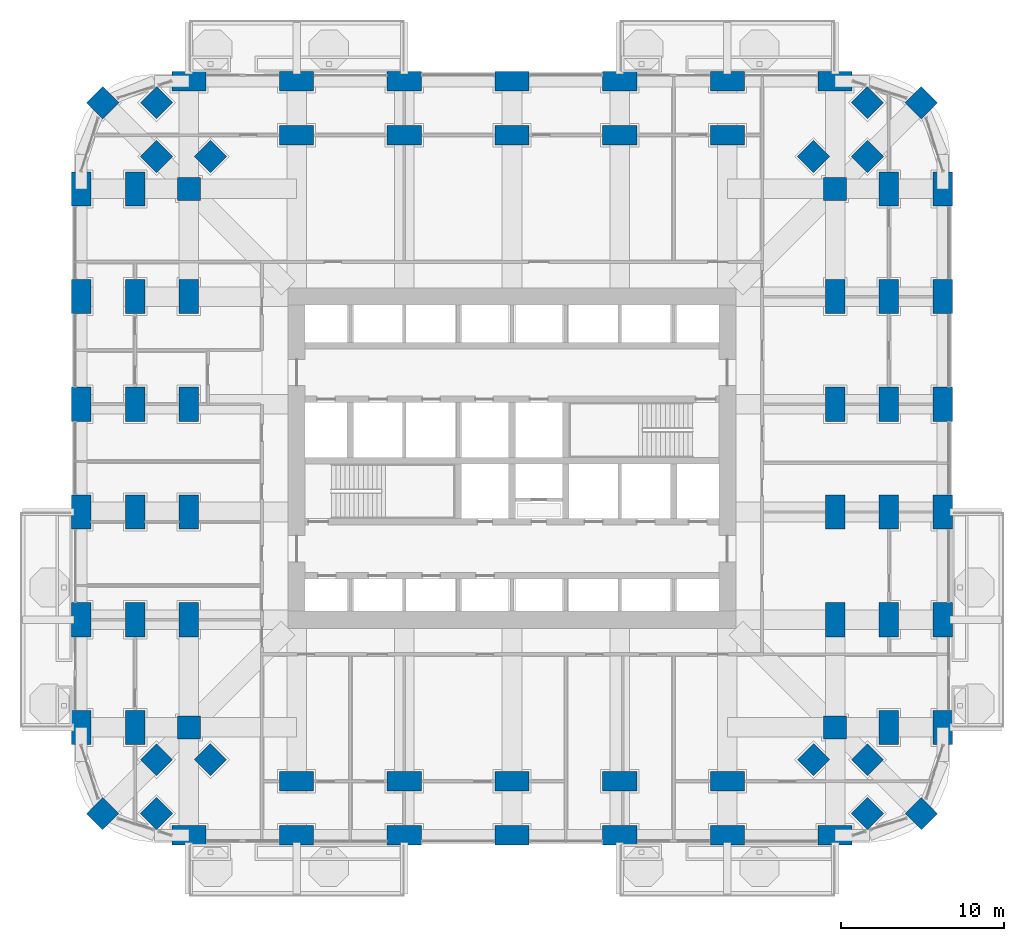
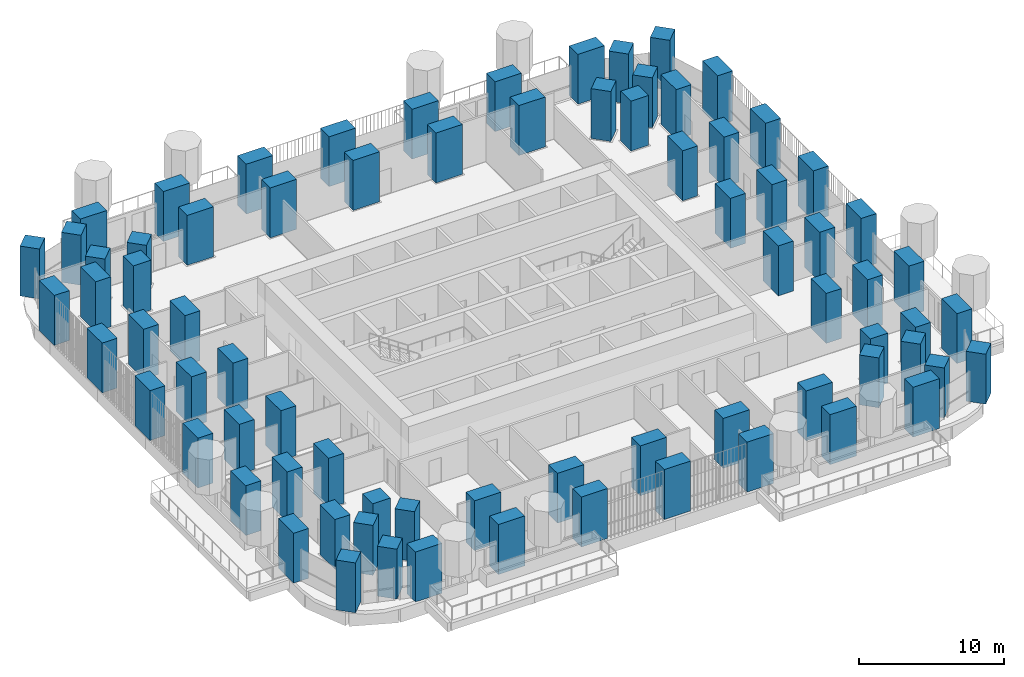
# One storey, part 1 of 27: 76 columns.
"""IFC4 building model written with IfcOpenShell, lengths in metres."""

from ifc_helpers import new_model, si_unit, direction, frame, origin, origin_2d, place, context, subcontext, project, spatial, rectangle, extrude, material, material_profile, profile_set, type_object, element, save


model = new_model("IFC4")

# Units and contexts
model_context = context("Model", 3, precision=1e-05, world=origin(), true_north=direction((0.0, 1.0)))
body_context = subcontext(model_context, "Body", "Model", "MODEL_VIEW")
ifc_project = project(units=[si_unit("LENGTHUNIT", "METRE"), si_unit("AREAUNIT", "SQUARE_METRE"), si_unit("VOLUMEUNIT", "CUBIC_METRE"), si_unit("PLANEANGLEUNIT", "RADIAN"), si_unit("MASSUNIT", "GRAM", prefix="KILO")], contexts=[model_context])

# Site, building, storey
site_placement = place(None, origin())
site = spatial("IfcSite", under=ifc_project, at=site_placement, CompositionType="ELEMENT")
building_placement = place(site_placement, origin())
building = spatial("IfcBuilding", under=site, at=building_placement, Name="Cobogo Forest Laboratory Tower", CompositionType="ELEMENT")
storey_placement = place(building_placement, frame((0.0, 0.0, 46.5)))
storey = spatial("IfcBuildingStorey", under=building, at=storey_placement, Name="L10", CompositionType="ELEMENT", Elevation=46.5)

# Columns
ifc_material = material(Name="Concrete HA-50 (C50/60)", Category="concrete")
ifc_material_profile_1 = material_profile(ifc_material, rectangle(XDim=2.10009765625, YDim=1.199951171875, at=origin_2d()), Name="RC 1200x2100")
ifc_profile_set_1 = profile_set([ifc_material_profile_1], Name="Concrete HA-50 (C50/60)")
column_type_1 = type_object("IfcColumnType", Name="Blade column 1200x2100", PredefinedType="COLUMN", material=ifc_profile_set_1)
for number, where, z_axis, x_axis, name in (
    (1, (6.60009765625, 0.0, 0.0), (0.0, 0.0, 1.0), (1.0, 0.0, 0.0), "Column 2-A L10"),
    (2, (13.199951171875, 0.0, 0.0), (0.0, 0.0, 1.0), (1.0, 0.0, 0.0), "Column 3-A L10"),
    (3, (19.800048828125, 0.0, 0.0), (0.0, 0.0, 1.0), (1.0, 0.0, 0.0), "Column 4-A L10"),
    (4, (26.39990234375, 0.0, 0.0), (0.0, 0.0, 1.0), (1.0, 0.0, 0.0), "Column 5-A L10"),
    (5, (33.0, 0.0, 0.0), (0.0, 0.0, 1.0), (1.0, 0.0, 0.0), "Column 6-A L10"),
    (6, (39.60009765625, 0.0, 0.0), (0.0, 0.0, 1.0), (1.0, 0.0, 0.0), "Column 7-A L10"),
    (7, (46.199951171875, 0.0, 0.0), (0.0, 0.0, 1.0), (1.0, 0.0, 0.0), "Column 8-A L10"),
    (8, (0.0, 6.60009765625, 0.0), (0.0, 0.0, 1.0), (0.0, 1.0, 0.0), "Column 1-B L10"),
    (9, (52.800048828125, 6.60009765625, 0.0), (0.0, 0.0, 1.0), (0.0, 1.0, 0.0), "Column 9-B L10"),
    (10, (0.0, 13.199951171875, 0.0), (0.0, 0.0, 1.0), (0.0, 1.0, 0.0), "Column 1-C L10"),
    (11, (52.800048828125, 13.199951171875, 0.0), (0.0, 0.0, 1.0), (0.0, 1.0, 0.0), "Column 9-C L10"),
    (12, (0.0, 19.800048828125, 0.0), (0.0, 0.0, 1.0), (0.0, 1.0, 0.0), "Column 1-D L10"),
    (13, (52.800048828125, 19.800048828125, 0.0), (0.0, 0.0, 1.0), (0.0, 1.0, 0.0), "Column 9-D L10"),
    (14, (0.0, 26.39990234375, 0.0), (0.0, 0.0, 1.0), (0.0, 1.0, 0.0), "Column 1-E L10"),
    (15, (52.800048828125, 26.39990234375, 0.0), (0.0, 0.0, 1.0), (0.0, 1.0, 0.0), "Column 9-E L10"),
    (16, (0.0, 33.0, 0.0), (0.0, 0.0, 1.0), (0.0, 1.0, 0.0), "Column 1-F L10"),
    (17, (52.800048828125, 33.0, 0.0), (0.0, 0.0, 1.0), (0.0, 1.0, 0.0), "Column 9-F L10"),
    (18, (0.0, 39.60009765625, 0.0), (0.0, 0.0, 1.0), (0.0, 1.0, 0.0), "Column 1-G L10"),
    (19, (52.800048828125, 39.60009765625, 0.0), (0.0, 0.0, 1.0), (0.0, 1.0, 0.0), "Column 9-G L10"),
    (20, (6.60009765625, 46.199951171875, 0.0), (0.0, 0.0, 1.0), (1.0, 0.0, 0.0), "Column 2-H L10"),
    (21, (13.199951171875, 46.199951171875, 0.0), (0.0, 0.0, 1.0), (1.0, 0.0, 0.0), "Column 3-H L10"),
    (22, (19.800048828125, 46.199951171875, 0.0), (0.0, 0.0, 1.0), (1.0, 0.0, 0.0), "Column 4-H L10"),
    (23, (26.39990234375, 46.199951171875, 0.0), (0.0, 0.0, 1.0), (1.0, 0.0, 0.0), "Column 5-H L10"),
    (24, (33.0, 46.199951171875, 0.0), (0.0, 0.0, 1.0), (1.0, 0.0, 0.0), "Column 6-H L10"),
    (25, (39.60009765625, 46.199951171875, 0.0), (0.0, 0.0, 1.0), (1.0, 0.0, 0.0), "Column 7-H L10"),
    (26, (46.199951171875, 46.199951171875, 0.0), (0.0, 0.0, 1.0), (1.0, 0.0, 0.0), "Column 8-H L10"),
    (27, (3.300048828125, 6.60009765625, 0.0), (0.0, 0.0, 1.0), (0.0, 1.0, 0.0), "Column 1.1-B-B L10"),
    (28, (49.5, 6.60009765625, 0.0), (0.0, 0.0, 1.0), (0.0, 1.0, 0.0), "Column 8.1-B-B L10"),
    (29, (3.300048828125, 13.199951171875, 0.0), (0.0, 0.0, 1.0), (0.0, 1.0, 0.0), "Column 1.1-C-B L10"),
    (30, (49.5, 13.199951171875, 0.0), (0.0, 0.0, 1.0), (0.0, 1.0, 0.0), "Column 8.1-C-B L10"),
    (31, (3.300048828125, 19.800048828125, 0.0), (0.0, 0.0, 1.0), (0.0, 1.0, 0.0), "Column 1.1-D-B L10"),
    (32, (49.5, 19.800048828125, 0.0), (0.0, 0.0, 1.0), (0.0, 1.0, 0.0), "Column 8.1-D-B L10"),
    (33, (3.300048828125, 26.39990234375, 0.0), (0.0, 0.0, 1.0), (0.0, 1.0, 0.0), "Column 1.1-E-B L10"),
    (34, (49.5, 26.39990234375, 0.0), (0.0, 0.0, 1.0), (0.0, 1.0, 0.0), "Column 8.1-E-B L10"),
    (35, (3.300048828125, 33.0, 0.0), (0.0, 0.0, 1.0), (0.0, 1.0, 0.0), "Column 1.1-F-B L10"),
    (36, (49.5, 33.0, 0.0), (0.0, 0.0, 1.0), (0.0, 1.0, 0.0), "Column 8.1-F-B L10"),
    (37, (3.300048828125, 39.60009765625, 0.0), (0.0, 0.0, 1.0), (0.0, 1.0, 0.0), "Column 1.1-G-B L10"),
    (38, (49.5, 39.60009765625, 0.0), (0.0, 0.0, 1.0), (0.0, 1.0, 0.0), "Column 8.1-G-B L10"),
    (39, (13.199951171875, 3.300048828125, 0.0), (0.0, 0.0, 1.0), (1.0, 0.0, 0.0), "Column 3-A.1-C L10"),
    (40, (19.800048828125, 3.300048828125, 0.0), (0.0, 0.0, 1.0), (1.0, 0.0, 0.0), "Column 4-A.1-C L10"),
    (41, (26.39990234375, 3.300048828125, 0.0), (0.0, 0.0, 1.0), (1.0, 0.0, 0.0), "Column 5-A.1-C L10"),
    (42, (33.0, 3.300048828125, 0.0), (0.0, 0.0, 1.0), (1.0, 0.0, 0.0), "Column 6-A.1-C L10"),
    (43, (39.60009765625, 3.300048828125, 0.0), (0.0, 0.0, 1.0), (1.0, 0.0, 0.0), "Column 7-A.1-C L10"),
    (44, (13.199951171875, 42.89990234375, 0.0), (0.0, 0.0, 1.0), (1.0, 0.0, 0.0), "Column 3-G.1-C L10"),
    (45, (19.800048828125, 42.89990234375, 0.0), (0.0, 0.0, 1.0), (1.0, 0.0, 0.0), "Column 4-G.1-C L10"),
    (46, (26.39990234375, 42.89990234375, 0.0), (0.0, 0.0, 1.0), (1.0, 0.0, 0.0), "Column 5-G.1-C L10"),
    (47, (33.0, 42.89990234375, 0.0), (0.0, 0.0, 1.0), (1.0, 0.0, 0.0), "Column 6-G.1-C L10"),
    (48, (39.60009765625, 42.89990234375, 0.0), (0.0, 0.0, 1.0), (1.0, 0.0, 0.0), "Column 7-G.1-C L10"),
    (49, (6.60009765625, 13.199951171875, 0.0), (0.0, 0.0, 1.0), (0.0, 1.0, 0.0), "Column 2-C-D L10"),
    (50, (46.199951171875, 13.199951171875, 0.0), (0.0, 0.0, 1.0), (0.0, 1.0, 0.0), "Column 8-C-D L10"),
    (51, (6.60009765625, 19.800048828125, 0.0), (0.0, 0.0, 1.0), (0.0, 1.0, 0.0), "Column 2-D-D L10"),
    (52, (46.199951171875, 19.800048828125, 0.0), (0.0, 0.0, 1.0), (0.0, 1.0, 0.0), "Column 8-D-D L10"),
    (53, (6.60009765625, 26.39990234375, 0.0), (0.0, 0.0, 1.0), (0.0, 1.0, 0.0), "Column 2-E-D L10"),
    (54, (46.199951171875, 26.39990234375, 0.0), (0.0, 0.0, 1.0), (0.0, 1.0, 0.0), "Column 8-E-D L10"),
    (55, (6.60009765625, 33.0, 0.0), (0.0, 0.0, 1.0), (0.0, 1.0, 0.0), "Column 2-F-D L10"),
    (56, (46.199951171875, 33.0, 0.0), (0.0, 0.0, 1.0), (0.0, 1.0, 0.0), "Column 8-F-D L10"),
):
    element("IfcColumn", number, at=place(storey_placement, frame(where, z_axis=z_axis, x_axis=x_axis)), inside=storey, type_object=column_type_1, Name=name, PredefinedType="COLUMN", context=body_context, shape_type="SweptSolid", body=[
        extrude(rectangle(XDim=2.10009765625, YDim=1.199951171875, at=origin_2d()), origin(), (0.0, 0.0, 1.0), 4.199951171875),
    ])
ifc_material_profile_2 = material_profile(ifc_material, rectangle(XDim=1.39990234375, YDim=1.39990234375, at=origin_2d()), Name="RC 1400x1400")
ifc_profile_set_2 = profile_set([ifc_material_profile_2], Name="Concrete HA-50 (C50/60)")
column_type_2 = type_object("IfcColumnType", Name="Column 1400x1400", PredefinedType="COLUMN", material=ifc_profile_set_2)
for number, where, z_axis, x_axis, name in (
    (57, (1.318115234375, 1.318115234375, 0.0), (0.0, 0.0, 1.0), (0.707106781187, 0.707106781187, 0.0), "Column CNR-SW L10"),
    (58, (51.48193359375, 1.318115234375, 0.0), (0.0, 0.0, 1.0), (0.707106781187, 0.707106781187, 0.0), "Column CNR-SE L10"),
    (59, (1.318115234375, 44.882080078125, 0.0), (0.0, 0.0, 1.0), (0.707106781187, 0.707106781187, 0.0), "Column CNR-NW L10"),
    (60, (51.48193359375, 44.882080078125, 0.0), (0.0, 0.0, 1.0), (0.707106781187, 0.707106781187, 0.0), "Column CNR-NE L10"),
    (61, (6.60009765625, 6.60009765625, 0.0), (0.0, 0.0, 1.0), (1.0, 0.0, 0.0), "Column 2-B L10"),
    (62, (46.199951171875, 6.60009765625, 0.0), (0.0, 0.0, 1.0), (1.0, 0.0, 0.0), "Column 8-B L10"),
    (63, (6.60009765625, 39.60009765625, 0.0), (0.0, 0.0, 1.0), (1.0, 0.0, 0.0), "Column 2-G L10"),
    (64, (46.199951171875, 39.60009765625, 0.0), (0.0, 0.0, 1.0), (1.0, 0.0, 0.0), "Column 8-G L10"),
    (65, (4.617919921875, 1.318115234375, 0.0), (0.0, 0.0, 1.0), (0.707106781187, 0.707106781187, 0.0), "Column CNR-SW-B L10"),
    (66, (48.181884765625, 1.318115234375, 0.0), (0.0, 0.0, 1.0), (0.707106781187, 0.707106781187, 0.0), "Column CNR-SE-B L10"),
    (67, (4.617919921875, 44.882080078125, 0.0), (0.0, 0.0, 1.0), (0.707106781187, 0.707106781187, 0.0), "Column CNR-NW-B L10"),
    (68, (48.181884765625, 44.882080078125, 0.0), (0.0, 0.0, 1.0), (0.707106781187, 0.707106781187, 0.0), "Column CNR-NE-B L10"),
    (69, (4.617919921875, 4.617919921875, 0.0), (0.0, 0.0, 1.0), (0.707106781187, 0.707106781187, 0.0), "Column CNR-SW-C L10"),
    (70, (48.181884765625, 4.617919921875, 0.0), (0.0, 0.0, 1.0), (0.707106781187, 0.707106781187, 0.0), "Column CNR-SE-C L10"),
    (71, (4.617919921875, 41.58203125, 0.0), (0.0, 0.0, 1.0), (0.707106781187, 0.707106781187, 0.0), "Column CNR-NW-C L10"),
    (72, (48.181884765625, 41.58203125, 0.0), (0.0, 0.0, 1.0), (0.707106781187, 0.707106781187, 0.0), "Column CNR-NE-C L10"),
    (73, (7.91796875, 4.617919921875, 0.0), (0.0, 0.0, 1.0), (0.707106781187, 0.707106781187, 0.0), "Column CNR-SW-D L10"),
    (74, (44.882080078125, 4.617919921875, 0.0), (0.0, 0.0, 1.0), (0.707106781187, 0.707106781187, 0.0), "Column CNR-SE-D L10"),
    (75, (7.91796875, 41.58203125, 0.0), (0.0, 0.0, 1.0), (0.707106781187, 0.707106781187, 0.0), "Column CNR-NW-D L10"),
    (76, (44.882080078125, 41.58203125, 0.0), (0.0, 0.0, 1.0), (0.707106781187, 0.707106781187, 0.0), "Column CNR-NE-D L10"),
):
    element("IfcColumn", number, at=place(storey_placement, frame(where, z_axis=z_axis, x_axis=x_axis)), inside=storey, type_object=column_type_2, Name=name, PredefinedType="COLUMN", context=body_context, shape_type="SweptSolid", body=[
        extrude(rectangle(XDim=1.39990234375, YDim=1.39990234375, at=origin_2d()), origin(), (0.0, 0.0, 1.0), 4.199951171875),
    ])

save(model, "model.ifc")
